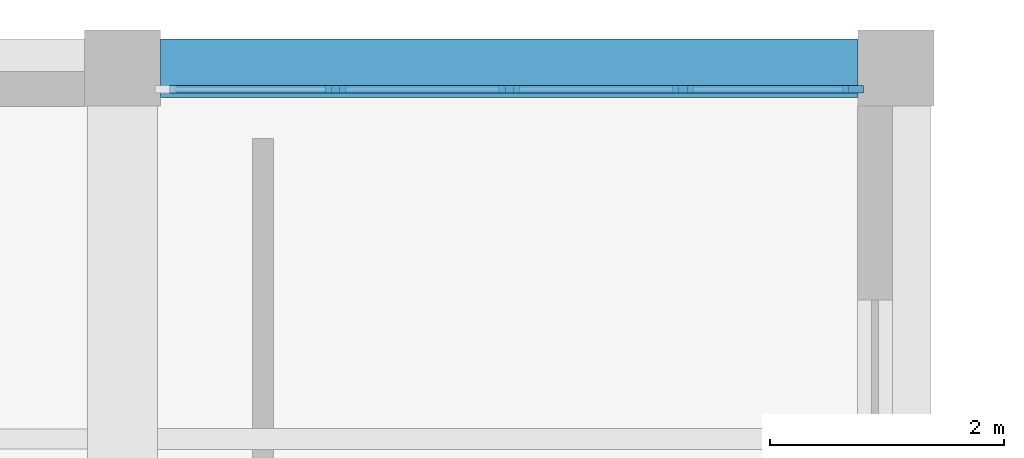
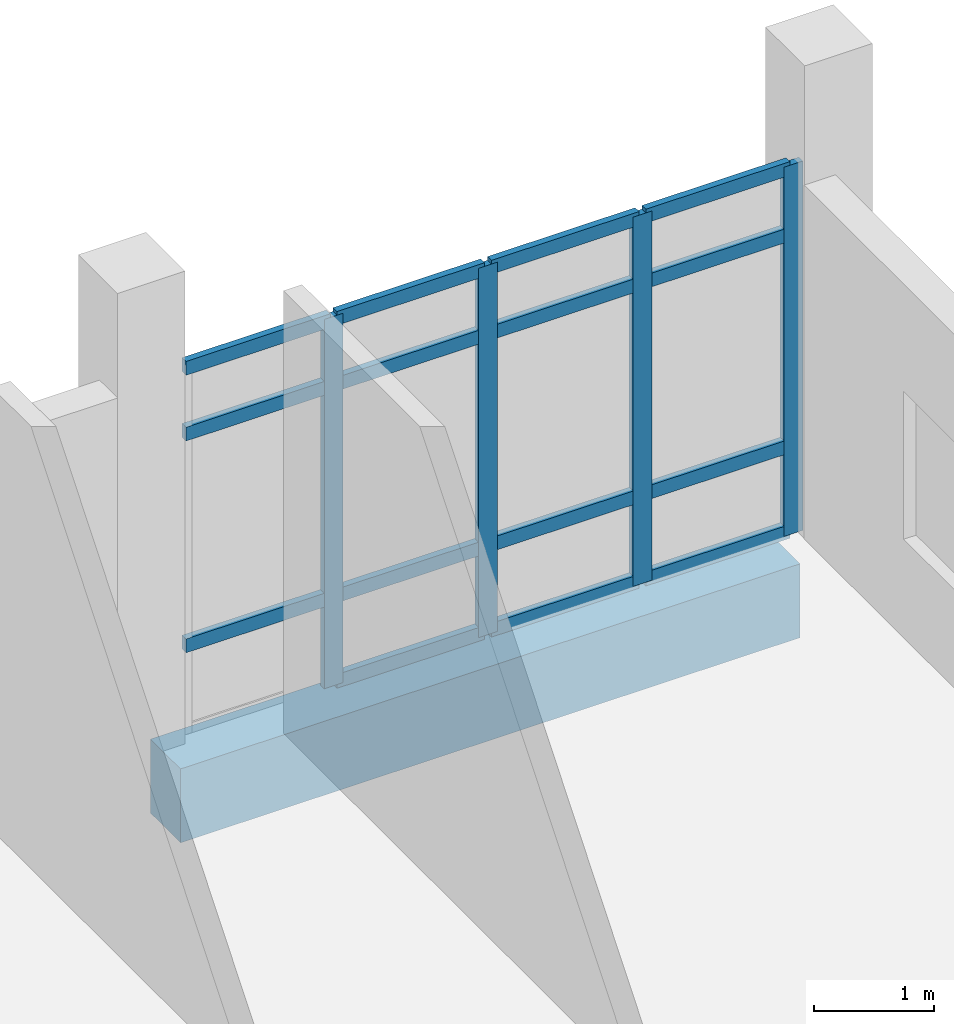
# One storey, part 42 of 90: 19 members, 1 beam, 1 element without a shape of its own.
"""IFC4 building model written with IfcOpenShell, lengths in metres."""

from ifc_helpers import new_model, si_unit, direction, frame, origin, origin_2d, place, context, subcontext, project, spatial, rectangle, extrude, material, layer, layer_set, material_profile, profile_set, type_object, element, aggregate, save


model = new_model("IFC4")

# Units and contexts
model_context = context("Model", 3, precision=1e-05, world=origin(), true_north=direction((0.0, 1.0)))
body_context = subcontext(model_context, "Body", "Model", "MODEL_VIEW")
ifc_project = project(units=[si_unit("LENGTHUNIT", "METRE"), si_unit("AREAUNIT", "SQUARE_METRE"), si_unit("VOLUMEUNIT", "CUBIC_METRE"), si_unit("PLANEANGLEUNIT", "RADIAN"), si_unit("MASSUNIT", "GRAM", prefix="KILO")], contexts=[model_context])

# Site, building, storey
site_placement = place(None, origin())
site = spatial("IfcSite", under=ifc_project, at=site_placement, CompositionType="ELEMENT")
building_placement = place(site_placement, origin())
building = spatial("IfcBuilding", under=site, at=building_placement, Name="Kelarvand Opera House", CompositionType="ELEMENT")
storey_placement = place(building_placement, frame((0.0, 0.0, 5.39990234375)))
storey = spatial("IfcBuildingStorey", under=building, at=storey_placement, Name="L01", CompositionType="ELEMENT", Elevation=5.39990234375)

# Curtain wall, members
ifc_material_1 = material(Name="Thermally broken aluminium and low-E glazing", Category="aluminium")
ifc_layer = layer(ifc_material_1, 0.179931640625, Name="Thermally broken aluminium and low-E glazing", Category="aluminium")
ifc_layer_set = layer_set([ifc_layer], Name="Thermally broken aluminium and low-E glazing")
curtain_wall_type = type_object("IfcCurtainWallType", Name="Unitised Low-E Curtain Wall 5930x3750 Mod 1450 CWF-44", PredefinedType="USERDEFINED", material=ifc_layer_set)
curtain_wall_placement = place(storey_placement, origin())
curtain_wall = element("IfcCurtainWall", 1, at=curtain_wall_placement, inside=storey, type_object=curtain_wall_type, Name="V5 L01 Curtain Wall CWF-44 (183)", ObjectType="UNITISED CURTAIN WALL", PredefinedType="USERDEFINED")
ifc_material_2 = material(Name="Thermally broken anodised aluminium", Category="aluminium")
ifc_material_profile_1 = material_profile(ifc_material_2, rectangle(XDim=0.06494140625, YDim=0.179931640625, at=origin_2d()), Name="ALU MULLION 65x180", Category="aluminium")
ifc_profile_set_1 = profile_set([ifc_material_profile_1], Name="Thermally broken anodised aluminium")
member_type_1 = type_object("IfcMemberType", Name="Curtain Wall Mullion 65x180 Aluminium", PredefinedType="MULLION", material=ifc_profile_set_1)
member_1_placement = place(storey_placement, frame((130.41748046875, 124.820068359375, 0.0), z_axis=(0.0, 0.0, 1.0), x_axis=(0.0, 1.0, 0.0)))
member_1 = element("IfcMember", 2, at=member_1_placement, type_object=member_type_1, Name="CWF-44 mullion 2", PredefinedType="MULLION", context=body_context, shape_type="SweptSolid", body=[
    extrude(rectangle(XDim=0.06494140625, YDim=0.179931640625, at=origin_2d()), origin(), (0.0, 0.0, 1.0), 3.75),
])
member_2_placement = place(storey_placement, frame((131.89990234375, 124.820068359375, 0.0), z_axis=(0.0, 0.0, 1.0), x_axis=(0.0, 1.0, 0.0)))
member_2 = element("IfcMember", 3, at=member_2_placement, type_object=member_type_1, Name="CWF-44 mullion 3", PredefinedType="MULLION", context=body_context, shape_type="SweptSolid", body=[
    extrude(rectangle(XDim=0.06494140625, YDim=0.179931640625, at=origin_2d()), origin(), (0.0, 0.0, 1.0), 3.75),
])
member_3_placement = place(storey_placement, frame((133.382568359375, 124.820068359375, 0.0), z_axis=(0.0, 0.0, 1.0), x_axis=(0.0, 1.0, 0.0)))
member_3 = element("IfcMember", 4, at=member_3_placement, type_object=member_type_1, Name="CWF-44 mullion 4", PredefinedType="MULLION", context=body_context, shape_type="SweptSolid", body=[
    extrude(rectangle(XDim=0.06494140625, YDim=0.179931640625, at=origin_2d()), origin(), (0.0, 0.0, 1.0), 3.75),
])
member_4_placement = place(storey_placement, frame((134.83251953125, 124.820068359375, 0.0), z_axis=(0.0, 0.0, 1.0), x_axis=(0.0, 1.0, 0.0)))
member_4 = element("IfcMember", 5, at=member_4_placement, type_object=member_type_1, Name="CWF-44 mullion 5", PredefinedType="MULLION", context=body_context, shape_type="SweptSolid", body=[
    extrude(rectangle(XDim=0.06494140625, YDim=0.179931640625, at=origin_2d()), origin(), (0.0, 0.0, 1.0), 3.75),
])
ifc_material_profile_2 = material_profile(ifc_material_2, rectangle(XDim=0.06494140625, YDim=0.139892578125, at=origin_2d()), Name="ALU TRANSOM 65x140", Category="aluminium")
ifc_profile_set_2 = profile_set([ifc_material_profile_2], Name="Thermally broken anodised aluminium")
member_type_2 = type_object("IfcMemberType", Name="Curtain Wall Transom 65x140 Aluminium", PredefinedType="USERDEFINED", material=ifc_profile_set_2)
member_5_placement = place(storey_placement, frame((129.0, 124.820068359375, 0.900146484375), z_axis=(1.0, 0.0, 0.0), x_axis=(0.0, 1.0, 0.0)))
member_5 = element("IfcMember", 6, at=member_5_placement, type_object=member_type_2, Name="CWF-44 transom 1.2", ObjectType="TRANSOM", PredefinedType="USERDEFINED", context=body_context, shape_type="SweptSolid", body=[
    extrude(rectangle(XDim=0.06494140625, YDim=0.139892578125, at=origin_2d()), origin(), (0.0, 0.0, 1.0), 1.385009765625),
])
member_6_placement = place(storey_placement, frame((129.0, 124.820068359375, 3.050048828125), z_axis=(1.0, 0.0, 0.0), x_axis=(0.0, 1.0, 0.0)))
member_6 = element("IfcMember", 7, at=member_6_placement, type_object=member_type_2, Name="CWF-44 transom 1.3", ObjectType="TRANSOM", PredefinedType="USERDEFINED", context=body_context, shape_type="SweptSolid", body=[
    extrude(rectangle(XDim=0.06494140625, YDim=0.139892578125, at=origin_2d()), origin(), (0.0, 0.0, 1.0), 1.385009765625),
])
member_7_placement = place(storey_placement, frame((129.0, 124.820068359375, 3.717529296875), z_axis=(1.0, 0.0, 0.0), x_axis=(0.0, 1.0, 0.0)))
member_7 = element("IfcMember", 8, at=member_7_placement, type_object=member_type_2, Name="CWF-44 transom 1.4", ObjectType="TRANSOM", PredefinedType="USERDEFINED", context=body_context, shape_type="SweptSolid", body=[
    extrude(rectangle(XDim=0.06494140625, YDim=0.139892578125, at=origin_2d()), origin(), (0.0, 0.0, 1.0), 1.385009765625),
])
member_8_placement = place(storey_placement, frame((130.449951171875, 124.820068359375, 0.03271484375), z_axis=(1.0, 0.0, 0.0), x_axis=(0.0, 1.0, 0.0)))
member_8 = element("IfcMember", 9, at=member_8_placement, type_object=member_type_2, Name="CWF-44 transom 2.1", ObjectType="TRANSOM", PredefinedType="USERDEFINED", context=body_context, shape_type="SweptSolid", body=[
    extrude(rectangle(XDim=0.06494140625, YDim=0.139892578125, at=origin_2d()), origin(), (0.0, 0.0, 1.0), 1.41748046875),
])
member_9_placement = place(storey_placement, frame((130.449951171875, 124.820068359375, 0.900146484375), z_axis=(1.0, 0.0, 0.0), x_axis=(0.0, 1.0, 0.0)))
member_9 = element("IfcMember", 10, at=member_9_placement, type_object=member_type_2, Name="CWF-44 transom 2.2", ObjectType="TRANSOM", PredefinedType="USERDEFINED", context=body_context, shape_type="SweptSolid", body=[
    extrude(rectangle(XDim=0.06494140625, YDim=0.139892578125, at=origin_2d()), origin(), (0.0, 0.0, 1.0), 1.41748046875),
])
member_10_placement = place(storey_placement, frame((130.449951171875, 124.820068359375, 3.050048828125), z_axis=(1.0, 0.0, 0.0), x_axis=(0.0, 1.0, 0.0)))
member_10 = element("IfcMember", 11, at=member_10_placement, type_object=member_type_2, Name="CWF-44 transom 2.3", ObjectType="TRANSOM", PredefinedType="USERDEFINED", context=body_context, shape_type="SweptSolid", body=[
    extrude(rectangle(XDim=0.06494140625, YDim=0.139892578125, at=origin_2d()), origin(), (0.0, 0.0, 1.0), 1.41748046875),
])
member_11_placement = place(storey_placement, frame((130.449951171875, 124.820068359375, 3.717529296875), z_axis=(1.0, 0.0, 0.0), x_axis=(0.0, 1.0, 0.0)))
member_11 = element("IfcMember", 12, at=member_11_placement, type_object=member_type_2, Name="CWF-44 transom 2.4", ObjectType="TRANSOM", PredefinedType="USERDEFINED", context=body_context, shape_type="SweptSolid", body=[
    extrude(rectangle(XDim=0.06494140625, YDim=0.139892578125, at=origin_2d()), origin(), (0.0, 0.0, 1.0), 1.41748046875),
])
member_12_placement = place(storey_placement, frame((131.9326171875, 124.820068359375, 0.03271484375), z_axis=(1.0, 0.0, 0.0), x_axis=(0.0, 1.0, 0.0)))
member_12 = element("IfcMember", 13, at=member_12_placement, type_object=member_type_2, Name="CWF-44 transom 3.1", ObjectType="TRANSOM", PredefinedType="USERDEFINED", context=body_context, shape_type="SweptSolid", body=[
    extrude(rectangle(XDim=0.06494140625, YDim=0.139892578125, at=origin_2d()), origin(), (0.0, 0.0, 1.0), 1.41748046875),
])
member_13_placement = place(storey_placement, frame((131.9326171875, 124.820068359375, 0.900146484375), z_axis=(1.0, 0.0, 0.0), x_axis=(0.0, 1.0, 0.0)))
member_13 = element("IfcMember", 14, at=member_13_placement, type_object=member_type_2, Name="CWF-44 transom 3.2", ObjectType="TRANSOM", PredefinedType="USERDEFINED", context=body_context, shape_type="SweptSolid", body=[
    extrude(rectangle(XDim=0.06494140625, YDim=0.139892578125, at=origin_2d()), origin(), (0.0, 0.0, 1.0), 1.41748046875),
])
member_14_placement = place(storey_placement, frame((131.9326171875, 124.820068359375, 3.050048828125), z_axis=(1.0, 0.0, 0.0), x_axis=(0.0, 1.0, 0.0)))
member_14 = element("IfcMember", 15, at=member_14_placement, type_object=member_type_2, Name="CWF-44 transom 3.3", ObjectType="TRANSOM", PredefinedType="USERDEFINED", context=body_context, shape_type="SweptSolid", body=[
    extrude(rectangle(XDim=0.06494140625, YDim=0.139892578125, at=origin_2d()), origin(), (0.0, 0.0, 1.0), 1.41748046875),
])
member_15_placement = place(storey_placement, frame((131.9326171875, 124.820068359375, 3.717529296875), z_axis=(1.0, 0.0, 0.0), x_axis=(0.0, 1.0, 0.0)))
member_15 = element("IfcMember", 16, at=member_15_placement, type_object=member_type_2, Name="CWF-44 transom 3.4", ObjectType="TRANSOM", PredefinedType="USERDEFINED", context=body_context, shape_type="SweptSolid", body=[
    extrude(rectangle(XDim=0.06494140625, YDim=0.139892578125, at=origin_2d()), origin(), (0.0, 0.0, 1.0), 1.41748046875),
])
member_16_placement = place(storey_placement, frame((133.4150390625, 124.820068359375, 0.03271484375), z_axis=(1.0, 0.0, 0.0), x_axis=(0.0, 1.0, 0.0)))
member_16 = element("IfcMember", 17, at=member_16_placement, type_object=member_type_2, Name="CWF-44 transom 4.1", ObjectType="TRANSOM", PredefinedType="USERDEFINED", context=body_context, shape_type="SweptSolid", body=[
    extrude(rectangle(XDim=0.06494140625, YDim=0.139892578125, at=origin_2d()), origin(), (0.0, 0.0, 1.0), 1.385009765625),
])
member_17_placement = place(storey_placement, frame((133.4150390625, 124.820068359375, 0.900146484375), z_axis=(1.0, 0.0, 0.0), x_axis=(0.0, 1.0, 0.0)))
member_17 = element("IfcMember", 18, at=member_17_placement, type_object=member_type_2, Name="CWF-44 transom 4.2", ObjectType="TRANSOM", PredefinedType="USERDEFINED", context=body_context, shape_type="SweptSolid", body=[
    extrude(rectangle(XDim=0.06494140625, YDim=0.139892578125, at=origin_2d()), origin(), (0.0, 0.0, 1.0), 1.385009765625),
])
member_18_placement = place(storey_placement, frame((133.4150390625, 124.820068359375, 3.050048828125), z_axis=(1.0, 0.0, 0.0), x_axis=(0.0, 1.0, 0.0)))
member_18 = element("IfcMember", 19, at=member_18_placement, type_object=member_type_2, Name="CWF-44 transom 4.3", ObjectType="TRANSOM", PredefinedType="USERDEFINED", context=body_context, shape_type="SweptSolid", body=[
    extrude(rectangle(XDim=0.06494140625, YDim=0.139892578125, at=origin_2d()), origin(), (0.0, 0.0, 1.0), 1.385009765625),
])
member_19_placement = place(storey_placement, frame((133.4150390625, 124.820068359375, 3.717529296875), z_axis=(1.0, 0.0, 0.0), x_axis=(0.0, 1.0, 0.0)))
member_19 = element("IfcMember", 20, at=member_19_placement, type_object=member_type_2, Name="CWF-44 transom 4.4", ObjectType="TRANSOM", PredefinedType="USERDEFINED", context=body_context, shape_type="SweptSolid", body=[
    extrude(rectangle(XDim=0.06494140625, YDim=0.139892578125, at=origin_2d()), origin(), (0.0, 0.0, 1.0), 1.385009765625),
])
aggregate(curtain_wall, [member_1, member_2, member_3, member_4, member_5, member_6, member_7, member_8, member_9, member_10, member_11, member_12, member_13, member_14, member_15, member_16, member_17, member_18, member_19])

# Beam
ifc_material_3 = material(Name="Concrete C40/50", Category="concrete")
ifc_material_profile_3 = material_profile(ifc_material_3, rectangle(XDim=0.5, YDim=0.75, at=origin_2d()), Name="RC 500x750", Category="concrete")
ifc_profile_set_3 = profile_set([ifc_material_profile_3], Name="Concrete C40/50")
beam_type = type_object("IfcBeamType", Name="Structural Spandrel RC 500x750 SP-RC500x750E", PredefinedType="SPANDREL", material=ifc_profile_set_3)
beam_placement = place(storey_placement, frame((128.925048828125, 125.0, -0.6748046875), z_axis=(1.0, 0.0, 0.0), x_axis=(0.0, 1.0, 0.0)))
element("IfcBeam", 21, at=beam_placement, inside=storey, type_object=beam_type, Name="V5 L01 Beam SP-RC500x750E", PredefinedType="SPANDREL", context=body_context, shape_type="SweptSolid", body=[
    extrude(rectangle(XDim=0.5, YDim=0.75, at=origin_2d()), origin(), (0.0, 0.0, 1.0), 5.949951171875),
])

save(model, "model.ifc")
